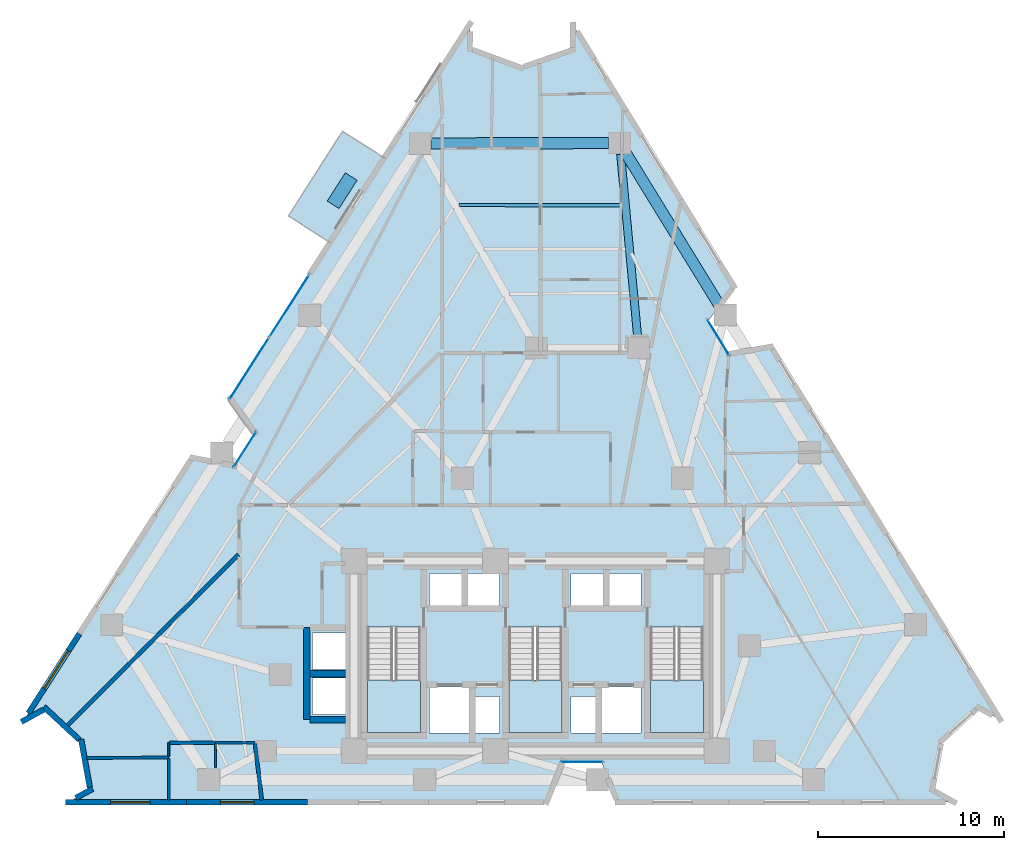
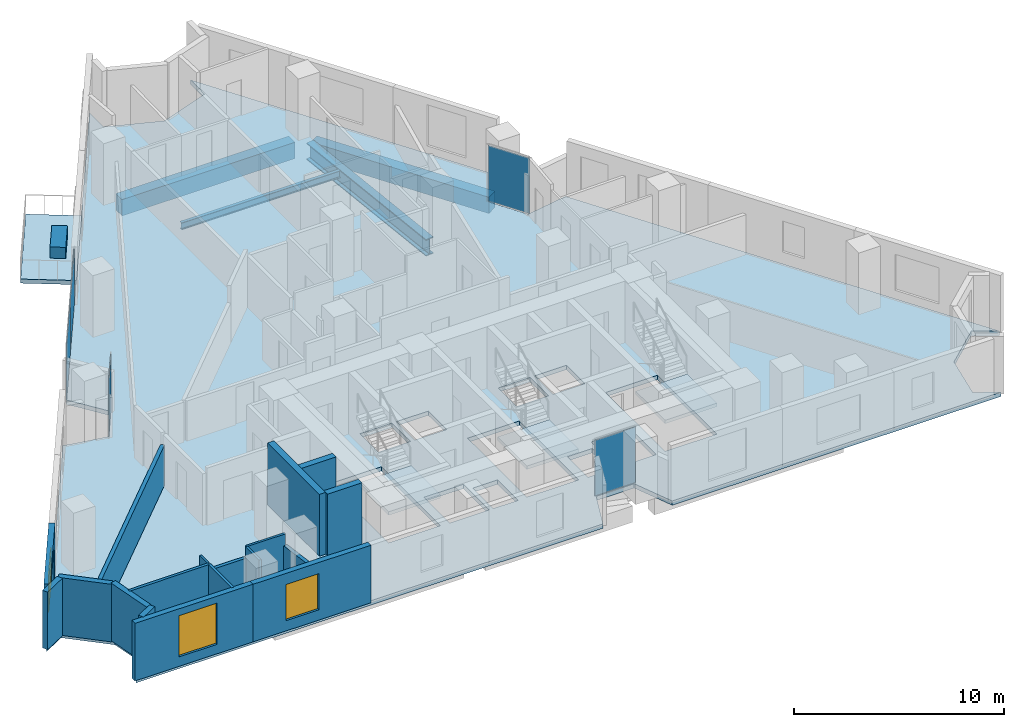
# One storey, part 5 of 13: 18 walls, 6 plates, 5 slabs, 4 beams, 3 windows, 3 openings, 7 elements without a shape of their own.
"""IFC4 building model written with IfcOpenShell, lengths in metres."""

from ifc_helpers import new_model, si_unit, direction, frame, frame_2d, origin, origin_2d, place, context, subcontext, project, spatial, polyline, rectangle, i_section, outline, extrude, material, layer, layer_set, material_profile, profile_set, type_object, element, fill, aggregate, save


model = new_model("IFC4")

# Units and contexts
model_context = context("Model", 3, precision=1e-05, world=origin(), true_north=direction((0.0, 1.0)))
body_context = subcontext(model_context, "Body", "Model", "MODEL_VIEW")
ifc_project = project(units=[si_unit("LENGTHUNIT", "METRE"), si_unit("AREAUNIT", "SQUARE_METRE"), si_unit("VOLUMEUNIT", "CUBIC_METRE"), si_unit("PLANEANGLEUNIT", "RADIAN"), si_unit("MASSUNIT", "GRAM", prefix="KILO")], contexts=[model_context])

# Site, building, storey
site_placement = place(None, origin())
site = spatial("IfcSite", under=ifc_project, at=site_placement, CompositionType="ELEMENT")
building_placement = place(site_placement, origin())
building = spatial("IfcBuilding", under=site, at=building_placement, Name="Almagre Mirador Tower", CompositionType="ELEMENT")
storey_placement = place(building_placement, frame((0.0, 0.0, 78.60009765625)))
storey = spatial("IfcBuildingStorey", under=building, at=storey_placement, Name="L19", CompositionType="ELEMENT", Elevation=78.60009765625)

# Beams
ifc_material_1 = material(Name="Steel ASTM A992 Grade 50", Category="steel")
ifc_material_profile_1 = material_profile(ifc_material_1, i_section(OverallWidth=0.178955078125, OverallDepth=0.408935546875, WebThickness=0.0087890625, FlangeThickness=0.014404296875, FilletRadius=0.013916015625, at=origin_2d()), Name="W16X45")
ifc_profile_set_1 = profile_set([ifc_material_profile_1], Name="Steel ASTM A992 Grade 50")
beam_type_1 = type_object("IfcBeamType", Name="BM-JST-W16X45", PredefinedType="JOIST", material=ifc_profile_set_1)
beam_1_placement = place(storey_placement, frame((41.923095703125, 33.86328125, -0.45458984375), z_axis=(-0.999997681519, 0.00215335929, 0.0), x_axis=(-0.00215335929, -0.999997681519, 0.0)))
element("IfcBeam", 1, at=beam_1_placement, inside=storey, type_object=beam_type_1, Name="L19 secondary floor joist PC08-PC09.1", PredefinedType="JOIST", context=body_context, shape_type="SweptSolid", body=[
    extrude(i_section(OverallWidth=0.178955078125, OverallDepth=0.408935546875, WebThickness=0.0087890625, FlangeThickness=0.014404296875, FilletRadius=0.013916015625, at=origin_2d()), origin(), (0.0, 0.0, 1.0), 8.72998046875),
])
ifc_material_2 = material(Name="Precast concrete C50/60", Category="concrete")
ifc_material_profile_2 = material_profile(ifc_material_2, rectangle(XDim=0.60009765625, YDim=0.949951171875, at=origin_2d()), Name="RC600X950")
ifc_profile_set_2 = profile_set([ifc_material_profile_2], Name="Precast concrete C50/60")
beam_type_2 = type_object("IfcBeamType", Name="BM-SPN-RC600X950", PredefinedType="SPANDREL", material=ifc_profile_set_2)
beam_2_placement = place(storey_placement, frame((47.19189453125, 28.47900390625, -0.72509765625), z_axis=(-0.523685040843, 0.851911954369, 0.0), x_axis=(-0.851911954369, -0.523685040843, 0.0)))
element("IfcBeam", 2, at=beam_2_placement, inside=storey, type_object=beam_type_2, Name="L19 perimeter spandrel beam PC07-PC08", PredefinedType="SPANDREL", context=body_context, shape_type="SweptSolid", body=[
    extrude(rectangle(XDim=0.60009765625, YDim=0.949951171875, at=origin_2d()), origin(), (0.0, 0.0, 1.0), 9.646484375),
])
beam_3_placement = place(storey_placement, frame((41.22607421875, 37.206787109375, -0.72509765625), z_axis=(-0.999998482053, -0.001742380833, 0.0), x_axis=(0.001742380833, -0.999998482053, 0.0)))
element("IfcBeam", 3, at=beam_3_placement, inside=storey, type_object=beam_type_2, Name="L19 perimeter spandrel beam PC08-PC09", PredefinedType="SPANDREL", context=body_context, shape_type="SweptSolid", body=[
    extrude(rectangle(XDim=0.60009765625, YDim=0.949951171875, at=origin_2d()), origin(), (0.0, 0.0, 1.0), 9.528076171875),
])
ifc_material_3 = material(Name="Steel ASTM A992 Grade 50", Category="steel")
ifc_material_profile_3 = material_profile(ifc_material_3, i_section(OverallWidth=0.427978515625, OverallDepth=0.97509765625, WebThickness=0.031005859375, FlangeThickness=0.055908203125, FilletRadius=0.028076171875, at=origin_2d()), Name="W36X395")
ifc_profile_set_3 = profile_set([ifc_material_profile_3], Name="Steel ASTM A992 Grade 50")
beam_type_3 = type_object("IfcBeamType", Name="BM-STL-W36X395", PredefinedType="BEAM", material=ifc_profile_set_3)
beam_4_placement = place(storey_placement, frame((41.881591796875, 36.610595703125, -0.737548828125), z_axis=(0.092621655493, -0.99570137538, 0.0), x_axis=(0.99570137538, 0.092621655493, 0.0)))
element("IfcBeam", 4, at=beam_4_placement, inside=storey, type_object=beam_type_3, Name="L19 radial floor girder PC08-MC6", PredefinedType="BEAM", context=body_context, shape_type="SweptSolid", body=[
    extrude(i_section(OverallWidth=0.427978515625, OverallDepth=0.97509765625, WebThickness=0.031005859375, FlangeThickness=0.055908203125, FilletRadius=0.028076171875, at=origin_2d()), origin(), (0.0, 0.0, 1.0), 9.855712890625),
])

# Curtain wall, plate
ifc_material_4 = material(Name="Black anodized aluminium", Category="aluminium")
ifc_layer_1 = layer(ifc_material_4, 0.169921875)
ifc_layer_set_1 = layer_set([ifc_layer_1], Name="Black anodized aluminium")
curtain_wall_type_1 = type_object("IfcCurtainWallType", Name="CW-CRS-SYS", PredefinedType="NOTDEFINED", material=ifc_layer_set_1)
curtain_wall_1_placement = place(storey_placement, origin())
curtain_wall_1 = element("IfcCurtainWall", 5, at=curtain_wall_1_placement, inside=storey, type_object=curtain_wall_type_1, Name="L19 vertical crease curtain wall 01", PredefinedType="NOTDEFINED")
ifc_material_5 = material(Name="Dark solar-control laminated hurricane glass", Category="glass")
ifc_layer_2 = layer(ifc_material_5, 0.028076171875)
ifc_layer_set_2 = layer_set([ifc_layer_2], Name="Dark solar-control laminated hurricane glass")
plate_type_1 = type_object("IfcPlateType", Name="PLT-GLZ-28", PredefinedType="CURTAIN_PANEL", material=ifc_layer_set_2)
plate_1_placement = place(storey_placement, frame((21.69091796875, 20.7451171875, 0.059814453125), z_axis=(0.0, 0.0, 1.0), x_axis=(0.539558777859, 0.841947934991, 0.0)))
plate_1 = element("IfcPlate", 6, at=plate_1_placement, type_object=plate_type_1, Name="CW-4 panel 1.1", PredefinedType="CURTAIN_PANEL", context=body_context, shape_type="SweptSolid", body=[
    extrude(rectangle(XDim=2.25048828125, YDim=0.028076171875, at=origin_2d()), origin(), (0.0, 0.0, 1.0), 3.22998046875),
])
aggregate(curtain_wall_1, [plate_1])

curtain_wall_2_placement = place(storey_placement, origin())
curtain_wall_2 = element("IfcCurtainWall", 7, at=curtain_wall_2_placement, inside=storey, type_object=curtain_wall_type_1, Name="L19 vertical crease curtain wall 03", PredefinedType="NOTDEFINED")
plate_2_placement = place(storey_placement, frame((47.132080078125, 26.761474609375, 0.059814453125), z_axis=(0.0, 0.0, 1.0), x_axis=(0.523414605102, -0.852078136772, 0.0)))
plate_2 = element("IfcPlate", 8, at=plate_2_placement, type_object=plate_type_1, Name="CW-4 panel 1.1", PredefinedType="CURTAIN_PANEL", context=body_context, shape_type="SweptSolid", body=[
    extrude(rectangle(XDim=2.250244140625, YDim=0.028076171875, at=origin_2d()), origin(), (0.0, 0.0, 1.0), 3.22998046875),
])
aggregate(curtain_wall_2, [plate_2])

curtain_wall_3_placement = place(storey_placement, origin())
curtain_wall_3 = element("IfcCurtainWall", 9, at=curtain_wall_3_placement, inside=storey, type_object=curtain_wall_type_1, Name="L19 vertical crease curtain wall 04", PredefinedType="NOTDEFINED")
plate_3_placement = place(storey_placement, frame((39.80810546875, 3.949951171875, 0.059814453125), z_axis=(0.0, 0.0, 1.0), x_axis=(-1.0, 0.0, 0.0)))
plate_3 = element("IfcPlate", 10, at=plate_3_placement, type_object=plate_type_1, Name="CW-4 panel 1.1", PredefinedType="CURTAIN_PANEL", context=body_context, shape_type="SweptSolid", body=[
    extrude(rectangle(XDim=2.25, YDim=0.028076171875, at=origin_2d()), origin(), (0.0, 0.0, 1.0), 3.22998046875),
])
aggregate(curtain_wall_3, [plate_3])

# Curtain wall, plates
ifc_material_6 = material(Name="Black anodized aluminium", Category="aluminium")
ifc_layer_3 = layer(ifc_material_6, 0.18994140625)
ifc_layer_set_3 = layer_set([ifc_layer_3], Name="Black anodized aluminium")
curtain_wall_type_2 = type_object("IfcCurtainWallType", Name="CW-RES-L-SYS", PredefinedType="NOTDEFINED", material=ifc_layer_set_3)
curtain_wall_4_placement = place(storey_placement, origin())
curtain_wall_4 = element("IfcCurtainWall", 11, at=curtain_wall_4_placement, inside=storey, type_object=curtain_wall_type_2, Name="L19 curtain wall run 02", PredefinedType="NOTDEFINED")
ifc_material_7 = material(Name="Dark solar-control laminated hurricane glass", Category="glass")
ifc_layer_4 = layer(ifc_material_7, 0.031982421875)
ifc_layer_set_4 = layer_set([ifc_layer_4], Name="Dark solar-control laminated hurricane glass")
plate_type_2 = type_object("IfcPlateType", Name="PLT-GLZ-32", PredefinedType="CURTAIN_PANEL", material=ifc_layer_set_4)
plate_4_placement = place(storey_placement, frame((21.926025390625, 25.095947265625, 0.059814453125), z_axis=(0.0, 0.0, 1.0), x_axis=(0.539454763486, 0.8420145831, 0.0)))
plate_4 = element("IfcPlate", 12, at=plate_4_placement, type_object=plate_type_2, Name="CW-2 panel 1.1", PredefinedType="CURTAIN_PANEL", context=body_context, shape_type="SweptSolid", body=[
    extrude(rectangle(XDim=3.931396484375, YDim=0.031982421875, at=origin_2d()), origin(), (0.0, 0.0, 1.0), 3.22998046875),
])
plate_5_placement = place(storey_placement, frame((24.081787109375, 28.4609375, 0.059814453125), z_axis=(0.0, 0.0, 1.0), x_axis=(0.539454763486, 0.8420145831, 0.0)))
plate_5 = element("IfcPlate", 13, at=plate_5_placement, type_object=plate_type_2, Name="CW-2 panel 2.1", PredefinedType="CURTAIN_PANEL", context=body_context, shape_type="SweptSolid", body=[
    extrude(rectangle(XDim=3.931396484375, YDim=0.031982421875, at=origin_2d()), origin(), (0.0, 0.0, 1.0), 3.22998046875),
])
aggregate(curtain_wall_4, [plate_4, plate_5])

# Plate
ifc_material_8 = material(Name="Precast concrete C50/60", Category="concrete")
ifc_layer_5 = layer(ifc_material_8, 0.64990234375)
ifc_layer_set_5 = layer_set([ifc_layer_5], Name="Precast concrete C50/60")
plate_type_3 = type_object("IfcPlateType", Name="PLT-PLANTER-1800", PredefinedType="USERDEFINED", material=ifc_layer_set_5)
plate_6_placement = place(storey_placement, frame((26.919921875, 34.652099609375, 0.0), z_axis=(0.0, 0.0, 1.0), x_axis=(-0.539461671362, -0.84201015738, 0.0)))
element("IfcPlate", 14, at=plate_6_placement, inside=storey, type_object=plate_type_3, Name="L19 west balcony structural tree planter 2", ObjectType="PLANTER", PredefinedType="USERDEFINED", context=body_context, shape_type="SweptSolid", body=[
    extrude(rectangle(XDim=1.800048828125, YDim=0.75, at=origin_2d()), origin(), (0.0, 0.0, 1.0), 0.64990234375),
])

# Slabs
ifc_material_9 = material(Name="Concrete C45/55", Category="concrete")
ifc_layer_6 = layer(ifc_material_9, 0.239990234375)
ifc_layer_set_6 = layer_set([ifc_layer_6], Name="Concrete C45/55")
slab_type_1 = type_object("IfcSlabType", Name="SLB-BAL-240", PredefinedType="USERDEFINED", material=ifc_layer_set_6)
slab_1_placement = place(storey_placement, frame((0.0, 0.0, -0.239990234375)))
element("IfcSlab", 15, at=slab_1_placement, inside=storey, type_object=slab_type_1, Name="L19 west planted tree balcony 2", ObjectType="BALCONY", PredefinedType="USERDEFINED", context=body_context, shape_type="SweptSolid", body=[
    extrude(outline(polyline([(29.194091796875, 36.402099609375), (26.280029296875, 31.85595703125), (24.031982421875, 33.2958984375), (26.945068359375, 37.843017578125), (29.194091796875, 36.402099609375)])), origin(), (0.0, 0.0, 1.0), 0.239990234375),
])
ifc_material_10 = material(Name="Concrete C45/55", Category="concrete")
ifc_layer_7 = layer(ifc_material_10, 0.25)
ifc_layer_set_7 = layer_set([ifc_layer_7], Name="Concrete C45/55")
slab_type_2 = type_object("IfcSlabType", Name="SLB-FLR-250", PredefinedType="FLOOR", material=ifc_layer_set_7)
slab_2_placement = place(storey_placement, frame((0.0, 0.0, -0.25)))
element("IfcSlab", 16, at=slab_2_placement, inside=storey, type_object=slab_type_2, Name="L19 structural floor slab", PredefinedType="FLOOR", context=body_context, shape_type="SweptSolid", body=[
    extrude(outline(polyline([(9.804931640625, 6.177978515625), (10.989990234375, 6.825927734375), (12.9169921875, 5.035888671875), (13.384033203125, 2.447998046875), (12.199951171875, 1.800048828125), (37.907958984375, 1.800048828125), (38.762939453125, 3.949951171875), (40.85302734375, 3.949951171875), (41.7080078125, 1.800048828125), (59.800048828125, 1.800048828125), (58.6220703125, 2.458984375), (59.114013671875, 5.091064453125), (61.09912109375, 6.888916015625), (62.277099609375, 6.22998046875), (49.958984375, 26.26904296875), (47.678955078125, 25.87109375), (46.5849609375, 27.652099609375), (47.968994140625, 29.506103515625), (39.322998046875, 43.570068359375), (39.31103515625, 42.219970703125), (36.537109375, 41.256103515625), (33.781982421875, 42.27197265625), (33.794921875, 43.6220703125), (20.906005859375, 23.50390625), (22.2548828125, 21.625), (21.126953125, 19.864990234375), (18.85595703125, 20.304931640625), (9.804931640625, 6.177978515625)]), holes=[polyline([(43.47509765625, 11.196044921875), (46.324951171875, 11.196044921875), (46.324951171875, 5.550048828125), (43.47509765625, 5.550048828125), (43.47509765625, 11.196044921875)]), polyline([(40.820068359375, 5.52001953125), (40.820068359375, 7.97998046875), (42.97998046875, 7.97998046875), (42.97998046875, 5.52001953125), (40.820068359375, 5.52001953125)]), polyline([(41.219970703125, 12.320068359375), (41.219970703125, 14.080078125), (42.97998046875, 14.080078125), (42.97998046875, 12.320068359375), (41.219970703125, 12.320068359375)]), polyline([(39.219970703125, 12.320068359375), (39.219970703125, 14.080078125), (40.97998046875, 14.080078125), (40.97998046875, 12.320068359375), (39.219970703125, 12.320068359375)]), polyline([(39.219970703125, 5.52001953125), (39.219970703125, 7.47998046875), (40.580078125, 7.47998046875), (40.580078125, 5.52001953125), (39.219970703125, 5.52001953125)]), polyline([(35.875, 11.196044921875), (38.72509765625, 11.196044921875), (38.72509765625, 5.550048828125), (35.875, 5.550048828125), (35.875, 11.196044921875)]), polyline([(35.3798828125, 5.52001953125), (34.02001953125, 5.52001953125), (34.02001953125, 7.47998046875), (35.3798828125, 7.47998046875), (35.3798828125, 5.52001953125)]), polyline([(35.3798828125, 12.320068359375), (33.6201171875, 12.320068359375), (33.6201171875, 14.080078125), (35.3798828125, 14.080078125), (35.3798828125, 12.320068359375)]), polyline([(31.6201171875, 5.52001953125), (31.6201171875, 7.97998046875), (33.780029296875, 7.97998046875), (33.780029296875, 5.52001953125), (31.6201171875, 5.52001953125)]), polyline([(31.6201171875, 12.320068359375), (31.6201171875, 14.080078125), (33.3798828125, 14.080078125), (33.3798828125, 12.320068359375), (31.6201171875, 12.320068359375)]), polyline([(28.27490234375, 5.550048828125), (28.27490234375, 11.196044921875), (31.125, 11.196044921875), (31.125, 5.550048828125), (28.27490234375, 5.550048828125)]), polyline([(25.320068359375, 6.52001953125), (25.320068359375, 8.47998046875), (27.3798828125, 8.47998046875), (27.3798828125, 6.52001953125), (25.320068359375, 6.52001953125)]), polyline([(25.320068359375, 8.919921875), (25.320068359375, 10.8798828125), (27.3798828125, 10.8798828125), (27.3798828125, 8.919921875), (25.320068359375, 8.919921875)])]), origin(), (0.0, 0.0, 1.0), 0.25),
])

# Stair, slab
ifc_material_11 = material(Name="Concrete C45/55", Category="concrete")
stair_type = type_object("IfcStairType", Name="STR-DL-3600", PredefinedType="HALF_TURN_STAIR", material=ifc_material_11)
stair_1_placement = place(storey_placement, origin())
stair_1 = element("IfcStair", 17, at=stair_1_placement, inside=storey, type_object=stair_type, Name="L19 Protected exit stair ST-1", PredefinedType="HALF_TURN_STAIR")
ifc_material_12 = material(Name="Concrete C45/55", Category="concrete")
ifc_layer_8 = layer(ifc_material_12, 0.199951171875)
ifc_layer_set_8 = layer_set([ifc_layer_8], Name="Concrete C45/55")
slab_type_3 = type_object("IfcSlabType", Name="SLB-LND-200", PredefinedType="LANDING", material=ifc_layer_set_8)
slab_3_placement = place(storey_placement, frame((0.0, 0.0, 1.599853515625)))
slab_3 = element("IfcSlab", 18, at=slab_3_placement, type_object=slab_type_3, Name="ST-1 landing 1", PredefinedType="LANDING", context=body_context, shape_type="SweptSolid", body=[
    extrude(outline(polyline([(28.27490234375, 8.35009765625), (28.27490234375, 5.550048828125), (31.125, 5.550048828125), (31.125, 8.35009765625), (28.27490234375, 8.35009765625)])), origin(), (0.0, 0.0, 1.0), 0.199951171875),
])
aggregate(stair_1, [slab_3])

stair_2_placement = place(storey_placement, origin())
stair_2 = element("IfcStair", 19, at=stair_2_placement, inside=storey, type_object=stair_type, Name="L19 Protected exit stair ST-2", PredefinedType="HALF_TURN_STAIR")
slab_4_placement = place(storey_placement, frame((0.0, 0.0, 1.599853515625)))
slab_4 = element("IfcSlab", 20, at=slab_4_placement, type_object=slab_type_3, Name="ST-2 landing 1", PredefinedType="LANDING", context=body_context, shape_type="SweptSolid", body=[
    extrude(outline(polyline([(35.875, 8.35009765625), (35.875, 5.550048828125), (38.72509765625, 5.550048828125), (38.72509765625, 8.35009765625), (35.875, 8.35009765625)])), origin(), (0.0, 0.0, 1.0), 0.199951171875),
])
aggregate(stair_2, [slab_4])

stair_3_placement = place(storey_placement, origin())
stair_3 = element("IfcStair", 21, at=stair_3_placement, inside=storey, type_object=stair_type, Name="L19 Protected exit stair ST-3", PredefinedType="HALF_TURN_STAIR")
slab_5_placement = place(storey_placement, frame((0.0, 0.0, 1.599853515625)))
slab_5 = element("IfcSlab", 22, at=slab_5_placement, type_object=slab_type_3, Name="ST-3 landing 1", PredefinedType="LANDING", context=body_context, shape_type="SweptSolid", body=[
    extrude(outline(polyline([(43.47509765625, 8.35009765625), (43.47509765625, 5.550048828125), (46.324951171875, 5.550048828125), (46.324951171875, 8.35009765625), (43.47509765625, 8.35009765625)])), origin(), (0.0, 0.0, 1.0), 0.199951171875),
])
aggregate(stair_3, [slab_5])

# Wall, opening, window
ifc_material_13 = material(Name="Precast concrete C50/60", Category="concrete")
ifc_layer_9 = layer(ifc_material_13, 0.300048828125)
ifc_layer_set_9 = layer_set([ifc_layer_9], Name="Precast concrete C50/60")
wall_type_1 = type_object("IfcWallType", Name="WAL-EXT-300", PredefinedType="SOLIDWALL", material=ifc_layer_set_9)
wall_1_placement = place(storey_placement, frame((25.053955078125, 1.800048828125, 0.0), z_axis=(0.0, 0.0, 1.0), x_axis=(-1.0, 0.0, 0.0)))
wall_1 = element("IfcWall", 23, at=wall_1_placement, inside=storey, type_object=wall_type_1, Name="L19 expressed almagre precast frame wall 29", PredefinedType="SOLIDWALL", context=body_context, shape_type="SweptSolid", body=[
    extrude(rectangle(XDim=6.4970703125, YDim=0.300048828125, at=frame_2d((3.24853515625, 0.0))), origin(), (0.0, 0.0, 1.0), 3.349853515625),
])
opening_1_placement = place(wall_1_placement, frame((2.875, 0.0, 0.60009765625)))
opening_1 = element("IfcOpeningElement", 24, at=opening_1_placement, cuts=wall_1, Name="Opening WN-01", PredefinedType="OPENING", context=body_context, shape_type="SweptSolid", body=[
    extrude(rectangle(XDim=1.800048828125, YDim=2.10009765625, at=frame_2d((0.89990234375, 1.050048828125))), frame((0.0, 0.159902, 0.0), z_axis=(0.0, -1.0, 0.0), x_axis=(1.0, 0.0, 0.0)), (0.0, 0.0, 1.0), 0.320049),
])
ifc_material_14 = material(Name="Dark solar-control laminated hurricane glass", Category="glass")
window_type_1 = type_object("IfcWindowType", Name="WIN-1800X2100", PartitioningType="DOUBLE_PANEL_VERTICAL", PredefinedType="WINDOW", material=ifc_material_14)
window_1_placement = place(opening_1_placement, origin())
window_1 = element("IfcWindow", 25, at=window_1_placement, inside=storey, type_object=window_type_1, Name="L19 recessed hurricane window L19-UA-KT", OverallHeight=2.10009765625, OverallWidth=1.800048828125, PartitioningType="SINGLE_PANEL", PredefinedType="WINDOW", context=body_context, shape_type="SweptSolid", body=[
    extrude(rectangle(XDim=1.800048828125, YDim=2.10009765625, at=frame_2d((0.89990234375, 1.050048828125))), frame((0.0, 0.030029296875, 0.0), z_axis=(0.0, -1.0, 0.0), x_axis=(1.0, 0.0, 0.0)), (0.0, 0.0, 1.0), 0.06005859375),
])
fill(opening_1, window_1)

wall_2_placement = place(storey_placement, frame((18.556884765625, 1.800048828125, 0.0), z_axis=(0.0, 0.0, 1.0), x_axis=(-1.0, 0.0, 0.0)))
wall_2 = element("IfcWall", 26, at=wall_2_placement, inside=storey, type_object=wall_type_1, Name="L19 expressed almagre precast frame wall 30", PredefinedType="SOLIDWALL", context=body_context, shape_type="SweptSolid", body=[
    extrude(rectangle(XDim=6.496826171875, YDim=0.300048828125, at=frame_2d((3.24853515625, 0.0))), origin(), (0.0, 0.0, 1.0), 3.349853515625),
])
opening_2_placement = place(wall_2_placement, frame((1.97509765625, 0.0, 0.550048828125)))
opening_2 = element("IfcOpeningElement", 27, at=opening_2_placement, cuts=wall_2, Name="Opening WN-05", PredefinedType="OPENING", context=body_context, shape_type="SweptSolid", body=[
    extrude(rectangle(XDim=2.10009765625, YDim=2.39990234375, at=frame_2d((1.050048828125, 1.199951171875))), frame((0.0, 0.159902, 0.0), z_axis=(0.0, -1.0, 0.0), x_axis=(1.0, 0.0, 0.0)), (0.0, 0.0, 1.0), 0.320049),
])
ifc_material_15 = material(Name="Dark solar-control laminated hurricane glass", Category="glass")
window_type_2 = type_object("IfcWindowType", Name="WIN-2100X2400", PartitioningType="DOUBLE_PANEL_VERTICAL", PredefinedType="WINDOW", material=ifc_material_15)
window_2_placement = place(opening_2_placement, origin())
window_2 = element("IfcWindow", 28, at=window_2_placement, inside=storey, type_object=window_type_2, Name="L19 recessed hurricane window L19-UA-HB", OverallHeight=2.39990234375, OverallWidth=2.10009765625, PartitioningType="SINGLE_PANEL", PredefinedType="WINDOW", context=body_context, shape_type="SweptSolid", body=[
    extrude(rectangle(XDim=2.10009765625, YDim=2.39990234375, at=frame_2d((1.050048828125, 1.199951171875))), frame((0.0, 0.030029296875, 0.0), z_axis=(0.0, -1.0, 0.0), x_axis=(1.0, 0.0, 0.0)), (0.0, 0.0, 1.0), 0.06005859375),
])
fill(opening_2, window_2)

# Walls
wall_3_placement = place(storey_placement, frame((12.6123046875, 2.025634765625, 0.0), z_axis=(0.0, 0.0, 1.0), x_axis=(0.877245120991, 0.480042704036, 0.0)))
element("IfcWall", 29, at=wall_3_placement, inside=storey, type_object=wall_type_1, Name="L19 expressed almagre precast frame wall 31", PredefinedType="SOLIDWALL", context=body_context, shape_type="SweptSolid", body=[
    extrude(rectangle(XDim=1.019775390625, YDim=0.300048828125, at=frame_2d((0.509765625, 0.0))), origin(), (0.0, 0.0, 1.0), 3.349853515625),
])
wall_4_placement = place(storey_placement, frame((13.360107421875, 2.580810546875, 0.0), z_axis=(0.0, 0.0, 1.0), x_axis=(-0.177621463404, 0.984098885142, 0.0)))
element("IfcWall", 30, at=wall_4_placement, inside=storey, type_object=wall_type_1, Name="L19 expressed almagre precast frame wall 32", PredefinedType="SOLIDWALL", context=body_context, shape_type="SweptSolid", body=[
    extrude(rectangle(XDim=2.635009765625, YDim=0.300048828125, at=frame_2d((1.3173828125, 0.0))), origin(), (0.0, 0.0, 1.0), 3.349853515625),
])
wall_5_placement = place(storey_placement, frame((12.80712890625, 5.13818359375, 0.0), z_axis=(0.0, 0.0, 1.0), x_axis=(-0.732670686937, 0.680583326642, 0.0)))
element("IfcWall", 31, at=wall_5_placement, inside=storey, type_object=wall_type_1, Name="L19 expressed almagre precast frame wall 33", PredefinedType="SOLIDWALL", context=body_context, shape_type="SweptSolid", body=[
    extrude(rectangle(XDim=2.6201171875, YDim=0.300048828125, at=frame_2d((1.31005859375, 0.0))), origin(), (0.0, 0.0, 1.0), 3.349853515625),
])
wall_6_placement = place(storey_placement, frame((10.8759765625, 6.763671875, 0.0), z_axis=(0.0, 0.0, 1.0), x_axis=(-0.877387661902, -0.47978212841, 0.0)))
element("IfcWall", 32, at=wall_6_placement, inside=storey, type_object=wall_type_1, Name="L19 expressed almagre precast frame wall 34", PredefinedType="SOLIDWALL", context=body_context, shape_type="SweptSolid", body=[
    extrude(rectangle(XDim=1.360595703125, YDim=0.300048828125, at=frame_2d((0.68017578125, 0.0))), origin(), (0.0, 0.0, 1.0), 3.349853515625),
])

# Wall, opening, window
wall_7_placement = place(storey_placement, frame((10.061279296875, 6.577880859375, 0.0), z_axis=(0.0, 0.0, 1.0), x_axis=(0.539464859434, 0.842008114828, 0.0)))
wall_7 = element("IfcWall", 33, at=wall_7_placement, inside=storey, type_object=wall_type_1, Name="L19 expressed almagre precast frame wall 35", PredefinedType="SOLIDWALL", context=body_context, shape_type="SweptSolid", body=[
    extrude(rectangle(XDim=5.071044921875, YDim=0.300048828125, at=frame_2d((2.53564453125, 0.0))), origin(), (0.0, 0.0, 1.0), 3.349853515625),
])
opening_3_placement = place(wall_7_placement, frame((1.5849609375, 0.0, 0.60009765625)))
opening_3 = element("IfcOpeningElement", 34, at=opening_3_placement, cuts=wall_7, Name="Opening WN-02", PredefinedType="OPENING", context=body_context, shape_type="SweptSolid", body=[
    extrude(rectangle(XDim=2.39990234375, YDim=2.10009765625, at=frame_2d((1.199951171875, 1.050048828125))), frame((0.0, 0.159902, 0.0), z_axis=(0.0, -1.0, 0.0), x_axis=(1.0, 0.0, 0.0)), (0.0, 0.0, 1.0), 0.320049),
])
ifc_material_16 = material(Name="Dark solar-control laminated hurricane glass", Category="glass")
window_type_3 = type_object("IfcWindowType", Name="WIN-2400X2100", PartitioningType="TRIPLE_PANEL_VERTICAL", PredefinedType="WINDOW", material=ifc_material_16)
window_3_placement = place(opening_3_placement, origin())
window_3 = element("IfcWindow", 35, at=window_3_placement, inside=storey, type_object=window_type_3, Name="L19 recessed hurricane window L19-RST-E", OverallHeight=2.10009765625, OverallWidth=2.39990234375, PartitioningType="SINGLE_PANEL", PredefinedType="WINDOW", context=body_context, shape_type="SweptSolid", body=[
    extrude(rectangle(XDim=2.39990234375, YDim=2.10009765625, at=frame_2d((1.199951171875, 1.050048828125))), frame((0.0, 0.030029296875, 0.0), z_axis=(0.0, -1.0, 0.0), x_axis=(1.0, 0.0, 0.0)), (0.0, 0.0, 1.0), 0.06005859375),
])
fill(opening_3, window_3)

# Walls
ifc_material_17 = material(Name="Gypsum acoustic stud partition", Category="other")
ifc_layer_10 = layer(ifc_material_17, 0.10009765625)
ifc_layer_set_10 = layer_set([ifc_layer_10], Name="Gypsum acoustic stud partition")
wall_type_2 = type_object("IfcWallType", Name="WAL-PRT-100-CLS", PredefinedType="PARTITIONING", material=ifc_layer_set_10)
wall_8_placement = place(storey_placement, frame((17.60009765625, 4.260009765625, 0.0), z_axis=(0.0, 0.0, 1.0), x_axis=(0.0, 1.0, 0.0)))
element("IfcWall", 36, at=wall_8_placement, inside=storey, type_object=wall_type_2, Name="L19 interior partition 017", PredefinedType="PARTITIONING", context=body_context, shape_type="SweptSolid", body=[
    extrude(rectangle(XDim=0.72998046875, YDim=0.10009765625, at=frame_2d((0.364990234375, 0.0))), origin(), (0.0, 0.0, 1.0), 3.349853515625),
])
ifc_material_18 = material(Name="Gypsum acoustic stud partition", Category="other")
ifc_layer_11 = layer(ifc_material_18, 0.125)
ifc_layer_set_11 = layer_set([ifc_layer_11], Name="Gypsum acoustic stud partition")
wall_type_3 = type_object("IfcWallType", Name="WAL-PRT-125-UTL", PredefinedType="PARTITIONING", material=ifc_layer_set_11)
wall_9_placement = place(storey_placement, frame((20.110107421875, 4.989990234375, 0.0), z_axis=(0.0, 0.0, 1.0), x_axis=(1.0, 0.0, 0.0)))
element("IfcWall", 37, at=wall_9_placement, inside=storey, type_object=wall_type_3, Name="L19 interior partition 016", PredefinedType="PARTITIONING", context=body_context, shape_type="SweptSolid", body=[
    extrude(rectangle(XDim=2.119873046875, YDim=0.125, at=frame_2d((1.06005859375, 0.0))), origin(), (0.0, 0.0, 1.0), 3.010009765625),
])
wall_10_placement = place(storey_placement, frame((20.110107421875, 4.9423828125, 0.0), z_axis=(0.0, 0.0, 1.0), x_axis=(0.0, -1.0, 0.0)))
element("IfcWall", 38, at=wall_10_placement, inside=storey, type_object=wall_type_3, Name="L19 interior partition 021", PredefinedType="PARTITIONING", context=body_context, shape_type="SweptSolid", body=[
    extrude(rectangle(XDim=1.282470703125, YDim=0.125, at=frame_2d((0.64111328125, 0.0))), origin(), (0.0, 0.0, 1.0), 3.010009765625),
])
ifc_material_19 = material(Name="Gypsum acoustic stud partition", Category="other")
ifc_layer_12 = layer(ifc_material_19, 0.14990234375)
ifc_layer_set_12 = layer_set([ifc_layer_12], Name="Gypsum acoustic stud partition")
wall_type_4 = type_object("IfcWallType", Name="WAL-PRT-150-STD", PredefinedType="PARTITIONING", material=ifc_layer_set_12)
wall_11_placement = place(storey_placement, frame((13.173095703125, 4.1669921875, 0.0), z_axis=(0.0, 0.0, 1.0), x_axis=(0.999972287215, 0.007444783476, 0.0)))
element("IfcWall", 39, at=wall_11_placement, inside=storey, type_object=wall_type_4, Name="L19 interior partition 015", PredefinedType="PARTITIONING", context=body_context, shape_type="SweptSolid", body=[
    extrude(rectangle(XDim=4.42724609375, YDim=0.14990234375, at=frame_2d((2.213623046875, 0.0))), origin(), (0.0, 0.0, 1.0), 3.349853515625),
])
wall_12_placement = place(storey_placement, frame((17.60009765625, 1.89990234375, 0.0), z_axis=(0.0, 0.0, 1.0), x_axis=(0.0, 1.0, 0.0)))
element("IfcWall", 40, at=wall_12_placement, inside=storey, type_object=wall_type_4, Name="L19 interior partition 020", PredefinedType="PARTITIONING", context=body_context, shape_type="SweptSolid", body=[
    extrude(rectangle(XDim=2.239990234375, YDim=0.14990234375, at=frame_2d((1.1201171875, 0.0))), origin(), (0.0, 0.0, 1.0), 3.349853515625),
])
ifc_material_20 = material(Name="Gypsum acoustic stud partition", Category="other")
ifc_layer_13 = layer(ifc_material_20, 0.175048828125)
ifc_layer_set_13 = layer_set([ifc_layer_13], Name="Gypsum acoustic stud partition")
wall_type_5 = type_object("IfcWallType", Name="WAL-PRT-175-AC", PredefinedType="PARTITIONING", material=ifc_layer_set_13)
wall_13_placement = place(storey_placement, frame((17.635009765625, 4.989990234375, 0.0), z_axis=(0.0, 0.0, 1.0), x_axis=(1.0, 0.0, 0.0)))
element("IfcWall", 41, at=wall_13_placement, inside=storey, type_object=wall_type_5, Name="L19 interior partition 018", PredefinedType="PARTITIONING", context=body_context, shape_type="SweptSolid", body=[
    extrude(rectangle(XDim=2.47509765625, YDim=0.175048828125, at=frame_2d((1.237548828125, 0.0))), origin(), (0.0, 0.0, 1.0), 2.369873046875),
])
ifc_material_21 = material(Name="Gypsum acoustic stud partition", Category="other")
ifc_layer_14 = layer(ifc_material_21, 0.199951171875)
ifc_layer_set_14 = layer_set([ifc_layer_14], Name="Gypsum acoustic stud partition")
wall_type_6 = type_object("IfcWallType", Name="WAL-PRT-200-EI60", PredefinedType="PARTITIONING", material=ifc_layer_set_14)
wall_14_placement = place(storey_placement, frame((21.33984375, 15.099853515625, 0.0), z_axis=(0.0, 0.0, 1.0), x_axis=(-0.706759638276, -0.707453753756, 0.0)))
element("IfcWall", 42, at=wall_14_placement, inside=storey, type_object=wall_type_6, Name="L19 interior partition 019", PredefinedType="PARTITIONING", context=body_context, shape_type="SweptSolid", body=[
    extrude(rectangle(XDim=13.013916015625, YDim=0.199951171875, at=frame_2d((6.5068359375, 0.0))), origin(), (0.0, 0.0, 1.0), 2.344970703125),
])
wall_15_placement = place(storey_placement, frame((22.60400390625, 1.89892578125, 0.0), z_axis=(0.0, 0.0, 1.0), x_axis=(-0.120074545748, 0.992764878238, 0.0)))
element("IfcWall", 43, at=wall_15_placement, inside=storey, type_object=wall_type_6, Name="L19 interior partition 022", PredefinedType="PARTITIONING", context=body_context, shape_type="SweptSolid", body=[
    extrude(rectangle(XDim=3.066162109375, YDim=0.199951171875, at=frame_2d((1.533203125, 0.0))), origin(), (0.0, 0.0, 1.0), 2.344970703125),
])
ifc_material_22 = material(Name="Concrete C60/75", Category="concrete")
ifc_layer_15 = layer(ifc_material_22, 0.35009765625)
ifc_layer_set_15 = layer_set([ifc_layer_15], Name="Concrete C60/75")
wall_type_7 = type_object("IfcWallType", Name="WAL-SHF-350", PredefinedType="SOLIDWALL", material=ifc_layer_set_15)
wall_16_placement = place(storey_placement, frame((25.02490234375, 6.22509765625, 0.0), z_axis=(0.0, 0.0, 1.0), x_axis=(0.0, 1.0, 0.0)))
element("IfcWall", 44, at=wall_16_placement, inside=storey, type_object=wall_type_7, Name="L19 shaft wall OL-W", PredefinedType="SOLIDWALL", context=body_context, shape_type="SweptSolid", body=[
    extrude(rectangle(XDim=4.949951171875, YDim=0.35009765625, at=frame_2d((2.47509765625, 0.0))), origin(), (0.0, 0.0, 1.0), 3.599853515625),
])
for number, where, z_axis, x_axis, name in (
    (45, (25.199951171875, 6.22509765625, 0.0), (0.0, 0.0, 1.0), (1.0, 0.0, 0.0), "L19 shaft wall OL-S"),
    (46, (25.199951171875, 8.699951171875, 0.0), (0.0, 0.0, 1.0), (1.0, 0.0, 0.0), "L19 shaft wall OL-M"),
):
    element("IfcWall", number, at=place(storey_placement, frame(where, z_axis=z_axis, x_axis=x_axis)), inside=storey, type_object=wall_type_7, Name=name, PredefinedType="SOLIDWALL", context=body_context, shape_type="SweptSolid", body=[
        extrude(rectangle(XDim=1.900146484375, YDim=0.35009765625, at=frame_2d((0.9501953125, 0.0))), origin(), (0.0, 0.0, 1.0), 3.599853515625),
    ])

save(model, "model.ifc")
